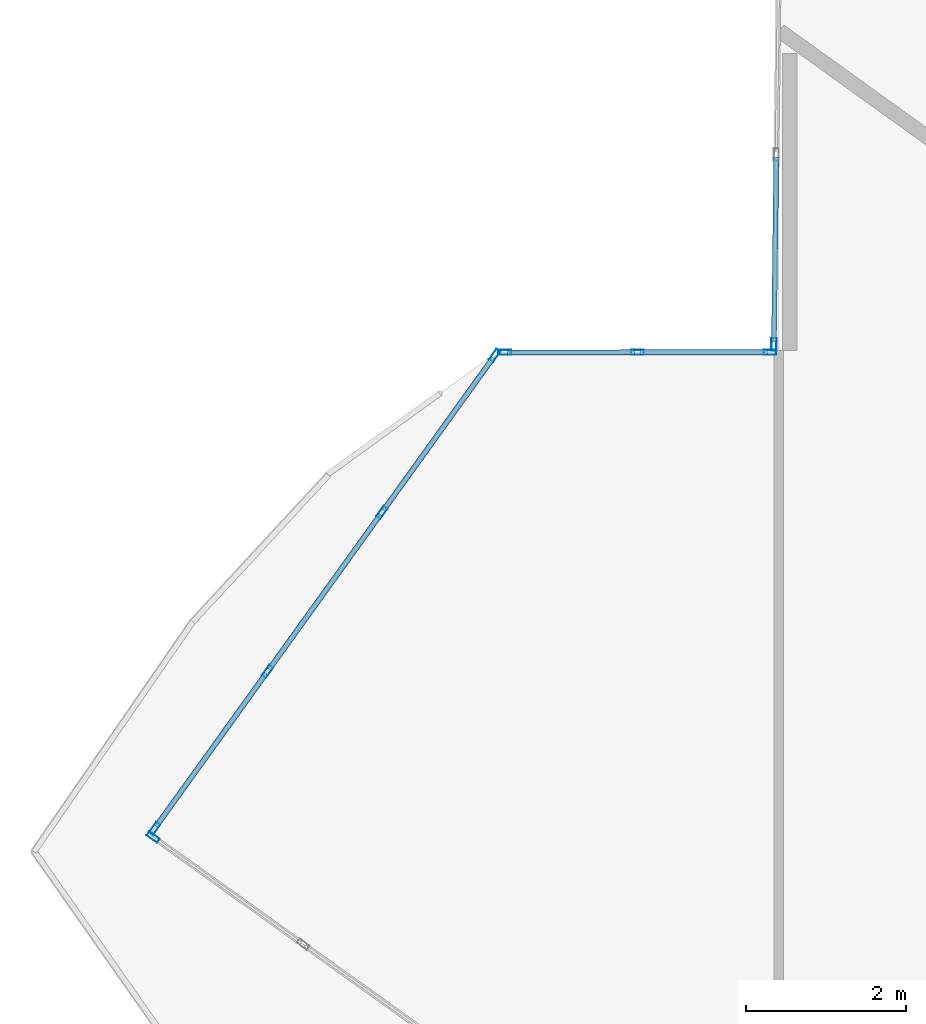
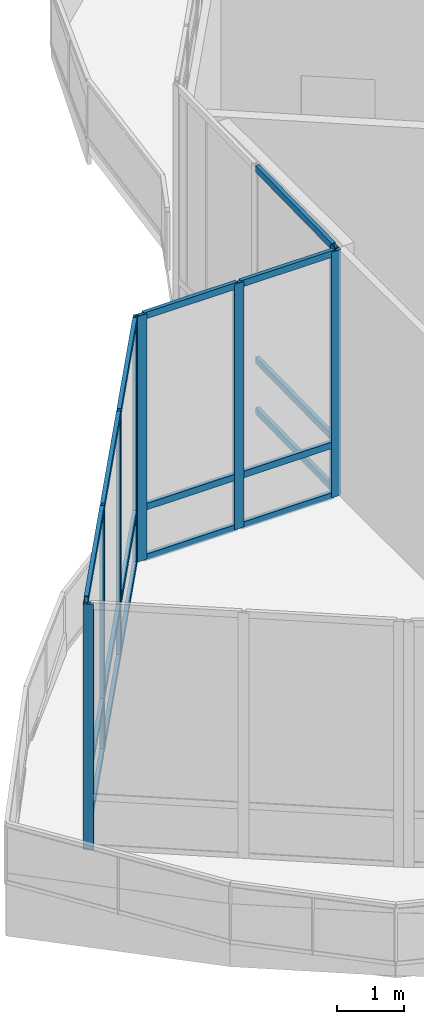
# One storey, part 17 of 168: 27 members, 4 elements without a shape of their own.
"""IFC4 building model written with IfcOpenShell, lengths in metres."""

from ifc_helpers import new_model, si_unit, direction, frame, origin, origin_2d, place, context, subcontext, project, spatial, hollow_rectangle, extrude, material, material_profile, profile_set, type_object, element, aggregate, save


model = new_model("IFC4")

# Units and contexts
model_context = context("Model", 3, precision=1e-05, world=origin(), true_north=direction((0.0, 1.0)))
body_context = subcontext(model_context, "Body", "Model", "MODEL_VIEW")
ifc_project = project(units=[si_unit("LENGTHUNIT", "METRE"), si_unit("AREAUNIT", "SQUARE_METRE"), si_unit("VOLUMEUNIT", "CUBIC_METRE"), si_unit("PLANEANGLEUNIT", "RADIAN"), si_unit("MASSUNIT", "GRAM", prefix="KILO")], contexts=[model_context])

# Site, building, storey
site_placement = place(None, origin())
site = spatial("IfcSite", under=ifc_project, at=site_placement, CompositionType="ELEMENT")
building_placement = place(site_placement, origin())
building = spatial("IfcBuilding", under=site, at=building_placement, Name="Selatvlak General Hospital", CompositionType="ELEMENT")
storey_placement = place(building_placement, frame((0.0, 0.0, 5.39990234375)))
storey = spatial("IfcBuildingStorey", under=building, at=storey_placement, Name="L01", CompositionType="ELEMENT", Elevation=5.39990234375)

# Curtain wall, member
ifc_material_1 = material(Name="Solar-control Low-E double glazing", Category="glass")
curtain_wall_type_1 = type_object("IfcCurtainWallType", Name="CW-CW-01", PredefinedType="USERDEFINED", material=ifc_material_1)
curtain_wall_1_placement = place(storey_placement, origin())
curtain_wall_1 = element("IfcCurtainWall", 1, at=curtain_wall_1_placement, inside=storey, type_object=curtain_wall_type_1, Name="Glazed facade curtain wall CW-L01-0183", ObjectType="UNITISED CURTAIN WALL", PredefinedType="USERDEFINED")
ifc_material_2 = material(Name="Dark anodised aluminium mullion", Category="aluminium")
ifc_material_profile_1 = material_profile(ifc_material_2, hollow_rectangle(XDim=0.06494140625, YDim=0.159912109375, WallThickness=0.00390625, at=origin_2d()), Name="AL-MUL 65x160x4")
ifc_profile_set_1 = profile_set([ifc_material_profile_1], Name="Dark anodised aluminium mullion")
member_type_1 = type_object("IfcMemberType", Name="CWM-01", PredefinedType="MULLION", material=ifc_profile_set_1)
member_1_placement = place(storey_placement, frame((14.95849609375, 25.923095703125, 0.0), z_axis=(0.0, 0.0, 1.0), x_axis=(-0.581802726189, -0.813329937847, 0.0)))
member_1 = element("IfcMember", 2, at=member_1_placement, type_object=member_type_1, Name="CW-01 mullion 3", PredefinedType="MULLION", context=body_context, shape_type="SweptSolid", body=[
    extrude(hollow_rectangle(XDim=0.06494140625, YDim=0.159912109375, WallThickness=0.00390625, at=origin_2d()), origin(), (0.0, 0.0, 1.0), 4.445068359375),
])
aggregate(curtain_wall_1, [member_1])

# Curtain wall, members
curtain_wall_type_2 = type_object("IfcCurtainWallType", Name="CW-CW-02", PredefinedType="USERDEFINED", material=ifc_material_1)
curtain_wall_2_placement = place(storey_placement, origin())
curtain_wall_2 = element("IfcCurtainWall", 3, at=curtain_wall_2_placement, inside=storey, type_object=curtain_wall_type_2, Name="Glazed facade curtain wall CW-L01-0184", ObjectType="UNITISED CURTAIN WALL", PredefinedType="USERDEFINED")
member_2_placement = place(storey_placement, frame((14.97705078125, 26.0302734375, 0.0), z_axis=(0.0, 0.0, 1.0), x_axis=(-0.811904820414, 0.583789827411, 0.0)))
member_2 = element("IfcMember", 4, at=member_2_placement, type_object=member_type_1, Name="CW-02 mullion 1", PredefinedType="MULLION", context=body_context, shape_type="SweptSolid", body=[
    extrude(hollow_rectangle(XDim=0.06494140625, YDim=0.159912109375, WallThickness=0.00390625, at=origin_2d()), origin(), (0.0, 0.0, 1.0), 4.445068359375),
])
member_3_placement = place(storey_placement, frame((16.39208984375, 27.998291015625, 0.0), z_axis=(0.0, 0.0, 1.0), x_axis=(-0.811904820414, 0.583789827411, 0.0)))
member_3 = element("IfcMember", 5, at=member_3_placement, type_object=member_type_1, Name="CW-02 mullion 2", PredefinedType="MULLION", context=body_context, shape_type="SweptSolid", body=[
    extrude(hollow_rectangle(XDim=0.06494140625, YDim=0.159912109375, WallThickness=0.00390625, at=origin_2d()), origin(), (0.0, 0.0, 1.0), 4.445068359375),
])
member_4_placement = place(storey_placement, frame((17.825927734375, 29.99267578125, 0.0), z_axis=(0.0, 0.0, 1.0), x_axis=(-0.811904820414, 0.583789827411, 0.0)))
member_4 = element("IfcMember", 6, at=member_4_placement, type_object=member_type_1, Name="CW-02 mullion 3", PredefinedType="MULLION", context=body_context, shape_type="SweptSolid", body=[
    extrude(hollow_rectangle(XDim=0.06494140625, YDim=0.159912109375, WallThickness=0.00390625, at=origin_2d()), origin(), (0.0, 0.0, 1.0), 4.445068359375),
])
member_5_placement = place(storey_placement, frame((19.240966796875, 31.960693359375, 0.0), z_axis=(0.0, 0.0, 1.0), x_axis=(-0.811904820414, 0.583789827411, 0.0)))
member_5 = element("IfcMember", 7, at=member_5_placement, type_object=member_type_1, Name="CW-02 mullion 4", PredefinedType="MULLION", context=body_context, shape_type="SweptSolid", body=[
    extrude(hollow_rectangle(XDim=0.06494140625, YDim=0.159912109375, WallThickness=0.00390625, at=origin_2d()), origin(), (0.0, 0.0, 1.0), 4.445068359375),
])

curtain_wall_3_placement = place(storey_placement, origin())
curtain_wall_3 = element("IfcCurtainWall", 8, at=curtain_wall_3_placement, inside=storey, type_object=curtain_wall_type_1, Name="Glazed facade curtain wall CW-L01-0185", ObjectType="UNITISED CURTAIN WALL", PredefinedType="USERDEFINED")
member_6_placement = place(storey_placement, frame((19.366455078125, 31.9990234375, 0.0), z_axis=(0.0, 0.0, 1.0), x_axis=(-0.000294898244, 0.999999956518, 0.0)))
member_6 = element("IfcMember", 9, at=member_6_placement, type_object=member_type_1, Name="CW-01 mullion 1", PredefinedType="MULLION", context=body_context, shape_type="SweptSolid", body=[
    extrude(hollow_rectangle(XDim=0.06494140625, YDim=0.159912109375, WallThickness=0.00390625, at=origin_2d()), origin(), (0.0, 0.0, 1.0), 4.445068359375),
])
member_7_placement = place(storey_placement, frame((21.029541015625, 31.99951171875, 0.0), z_axis=(0.0, 0.0, 1.0), x_axis=(-0.000294898244, 0.999999956518, 0.0)))
member_7 = element("IfcMember", 10, at=member_7_placement, type_object=member_type_1, Name="CW-01 mullion 2", PredefinedType="MULLION", context=body_context, shape_type="SweptSolid", body=[
    extrude(hollow_rectangle(XDim=0.06494140625, YDim=0.159912109375, WallThickness=0.00390625, at=origin_2d()), origin(), (0.0, 0.0, 1.0), 4.445068359375),
])
member_8_placement = place(storey_placement, frame((22.6923828125, 32.0, 0.0), z_axis=(0.0, 0.0, 1.0), x_axis=(-0.000294898244, 0.999999956518, 0.0)))
member_8 = element("IfcMember", 11, at=member_8_placement, type_object=member_type_1, Name="CW-01 mullion 3", PredefinedType="MULLION", context=body_context, shape_type="SweptSolid", body=[
    extrude(hollow_rectangle(XDim=0.06494140625, YDim=0.159912109375, WallThickness=0.00390625, at=origin_2d()), origin(), (0.0, 0.0, 1.0), 4.445068359375),
])

# Curtain wall, member
curtain_wall_4_placement = place(storey_placement, origin())
curtain_wall_4 = element("IfcCurtainWall", 12, at=curtain_wall_4_placement, inside=storey, type_object=curtain_wall_type_2, Name="Glazed facade curtain wall CW-L01-0186", ObjectType="UNITISED CURTAIN WALL", PredefinedType="USERDEFINED")
member_9_placement = place(storey_placement, frame((22.741455078125, 32.097412109375, 0.0), z_axis=(0.0, 0.0, 1.0), x_axis=(-0.999925308571, 0.012221999835, 0.0)))
member_9 = element("IfcMember", 13, at=member_9_placement, type_object=member_type_1, Name="CW-02 mullion 1", PredefinedType="MULLION", context=body_context, shape_type="SweptSolid", body=[
    extrude(hollow_rectangle(XDim=0.06494140625, YDim=0.159912109375, WallThickness=0.00390625, at=origin_2d()), origin(), (0.0, 0.0, 1.0), 4.445068359375),
])

# Member
ifc_material_profile_2 = material_profile(ifc_material_2, hollow_rectangle(XDim=0.06494140625, YDim=0.1201171875, WallThickness=0.00390625, at=origin_2d()), Name="AL-TRN 65x120x4")
ifc_profile_set_2 = profile_set([ifc_material_profile_2], Name="Dark anodised aluminium mullion")
member_type_2 = type_object("IfcMemberType", Name="CWT-01", PredefinedType="USERDEFINED", material=ifc_profile_set_2)
member_10_placement = place(storey_placement, frame((14.995849609375, 26.056884765625, 0.03271484375), z_axis=(0.583849294789, 0.811862057849, 0.0), x_axis=(-0.811862057849, 0.583849294789, 0.0)))
member_10 = element("IfcMember", 14, at=member_10_placement, type_object=member_type_2, Name="CW-02 transom 1.1", ObjectType="TRANSOM", PredefinedType="USERDEFINED", context=body_context, shape_type="SweptSolid", body=[
    extrude(hollow_rectangle(XDim=0.06494140625, YDim=0.1201171875, WallThickness=0.00390625, at=origin_2d()), origin(), (0.0, 0.0, 1.0), 2.35888671875),
])

member_11_placement = place(storey_placement, frame((14.995849609375, 26.056884765625, 0.9501953125), z_axis=(0.583849294789, 0.811862057849, 0.0), x_axis=(-0.811862057849, 0.583849294789, 0.0)))
member_11 = element("IfcMember", 15, at=member_11_placement, type_object=member_type_2, Name="CW-02 transom 1.2", ObjectType="TRANSOM", PredefinedType="USERDEFINED", context=body_context, shape_type="SweptSolid", body=[
    extrude(hollow_rectangle(XDim=0.06494140625, YDim=0.1201171875, WallThickness=0.00390625, at=origin_2d()), origin(), (0.0, 0.0, 1.0), 2.35888671875),
])

member_12_placement = place(storey_placement, frame((14.995849609375, 26.056884765625, 4.41259765625), z_axis=(0.583849294789, 0.811862057849, 0.0), x_axis=(-0.811862057849, 0.583849294789, 0.0)))
member_12 = element("IfcMember", 16, at=member_12_placement, type_object=member_type_2, Name="CW-02 transom 1.3", ObjectType="TRANSOM", PredefinedType="USERDEFINED", context=body_context, shape_type="SweptSolid", body=[
    extrude(hollow_rectangle(XDim=0.06494140625, YDim=0.1201171875, WallThickness=0.00390625, at=origin_2d()), origin(), (0.0, 0.0, 1.0), 2.35888671875),
])

member_13_placement = place(storey_placement, frame((16.410888671875, 28.024658203125, 0.03271484375), z_axis=(0.583823242974, 0.811880792336, 0.0), x_axis=(-0.811880792336, 0.583823242974, 0.0)))
member_13 = element("IfcMember", 17, at=member_13_placement, type_object=member_type_2, Name="CW-02 transom 2.1", ObjectType="TRANSOM", PredefinedType="USERDEFINED", context=body_context, shape_type="SweptSolid", body=[
    extrude(hollow_rectangle(XDim=0.06494140625, YDim=0.1201171875, WallThickness=0.00390625, at=origin_2d()), origin(), (0.0, 0.0, 1.0), 2.3916015625),
])

member_14_placement = place(storey_placement, frame((16.410888671875, 28.024658203125, 0.9501953125), z_axis=(0.583823242974, 0.811880792336, 0.0), x_axis=(-0.811880792336, 0.583823242974, 0.0)))
member_14 = element("IfcMember", 18, at=member_14_placement, type_object=member_type_2, Name="CW-02 transom 2.2", ObjectType="TRANSOM", PredefinedType="USERDEFINED", context=body_context, shape_type="SweptSolid", body=[
    extrude(hollow_rectangle(XDim=0.06494140625, YDim=0.1201171875, WallThickness=0.00390625, at=origin_2d()), origin(), (0.0, 0.0, 1.0), 2.3916015625),
])

member_15_placement = place(storey_placement, frame((16.410888671875, 28.024658203125, 4.41259765625), z_axis=(0.583823242974, 0.811880792336, 0.0), x_axis=(-0.811880792336, 0.583823242974, 0.0)))
member_15 = element("IfcMember", 19, at=member_15_placement, type_object=member_type_2, Name="CW-02 transom 2.3", ObjectType="TRANSOM", PredefinedType="USERDEFINED", context=body_context, shape_type="SweptSolid", body=[
    extrude(hollow_rectangle(XDim=0.06494140625, YDim=0.1201171875, WallThickness=0.00390625, at=origin_2d()), origin(), (0.0, 0.0, 1.0), 2.3916015625),
])

member_16_placement = place(storey_placement, frame((17.844970703125, 30.01904296875, 0.03271484375), z_axis=(0.583800237832, 0.811897334832, 0.0), x_axis=(-0.811897334832, 0.583800237832, 0.0)))
member_16 = element("IfcMember", 20, at=member_16_placement, type_object=member_type_2, Name="CW-02 transom 3.1", ObjectType="TRANSOM", PredefinedType="USERDEFINED", context=body_context, shape_type="SweptSolid", body=[
    extrude(hollow_rectangle(XDim=0.06494140625, YDim=0.1201171875, WallThickness=0.00390625, at=origin_2d()), origin(), (0.0, 0.0, 1.0), 2.359130859375),
])

member_17_placement = place(storey_placement, frame((17.844970703125, 30.01904296875, 0.9501953125), z_axis=(0.583800237832, 0.811897334832, 0.0), x_axis=(-0.811897334832, 0.583800237832, 0.0)))
member_17 = element("IfcMember", 21, at=member_17_placement, type_object=member_type_2, Name="CW-02 transom 3.2", ObjectType="TRANSOM", PredefinedType="USERDEFINED", context=body_context, shape_type="SweptSolid", body=[
    extrude(hollow_rectangle(XDim=0.06494140625, YDim=0.1201171875, WallThickness=0.00390625, at=origin_2d()), origin(), (0.0, 0.0, 1.0), 2.359130859375),
])

member_18_placement = place(storey_placement, frame((17.844970703125, 30.01904296875, 4.41259765625), z_axis=(0.583800237832, 0.811897334832, 0.0), x_axis=(-0.811897334832, 0.583800237832, 0.0)))
member_18 = element("IfcMember", 22, at=member_18_placement, type_object=member_type_2, Name="CW-02 transom 3.3", ObjectType="TRANSOM", PredefinedType="USERDEFINED", context=body_context, shape_type="SweptSolid", body=[
    extrude(hollow_rectangle(XDim=0.06494140625, YDim=0.1201171875, WallThickness=0.00390625, at=origin_2d()), origin(), (0.0, 0.0, 1.0), 2.359130859375),
])

aggregate(curtain_wall_2, [member_2, member_3, member_4, member_5, member_10, member_11, member_12, member_13, member_14, member_15, member_16, member_17, member_18])

member_19_placement = place(storey_placement, frame((19.39892578125, 31.9990234375, 0.03271484375), z_axis=(0.999999953326, 0.00030553008, 0.0), x_axis=(-0.00030553008, 0.999999953326, 0.0)))
member_19 = element("IfcMember", 23, at=member_19_placement, type_object=member_type_2, Name="CW-01 transom 1.1", ObjectType="TRANSOM", PredefinedType="USERDEFINED", context=body_context, shape_type="SweptSolid", body=[
    extrude(hollow_rectangle(XDim=0.06494140625, YDim=0.1201171875, WallThickness=0.00390625, at=origin_2d()), origin(), (0.0, 0.0, 1.0), 1.59814453125),
])

member_20_placement = place(storey_placement, frame((19.39892578125, 31.9990234375, 0.9501953125), z_axis=(0.999999953326, 0.00030553008, 0.0), x_axis=(-0.00030553008, 0.999999953326, 0.0)))
member_20 = element("IfcMember", 24, at=member_20_placement, type_object=member_type_2, Name="CW-01 transom 1.2", ObjectType="TRANSOM", PredefinedType="USERDEFINED", context=body_context, shape_type="SweptSolid", body=[
    extrude(hollow_rectangle(XDim=0.06494140625, YDim=0.1201171875, WallThickness=0.00390625, at=origin_2d()), origin(), (0.0, 0.0, 1.0), 1.59814453125),
])

member_21_placement = place(storey_placement, frame((19.39892578125, 31.9990234375, 4.41259765625), z_axis=(0.999999953326, 0.00030553008, 0.0), x_axis=(-0.00030553008, 0.999999953326, 0.0)))
member_21 = element("IfcMember", 25, at=member_21_placement, type_object=member_type_2, Name="CW-01 transom 1.3", ObjectType="TRANSOM", PredefinedType="USERDEFINED", context=body_context, shape_type="SweptSolid", body=[
    extrude(hollow_rectangle(XDim=0.06494140625, YDim=0.1201171875, WallThickness=0.00390625, at=origin_2d()), origin(), (0.0, 0.0, 1.0), 1.59814453125),
])

member_22_placement = place(storey_placement, frame((21.06201171875, 31.99951171875, 0.03271484375), z_axis=(0.999999953311, 0.000305576762, 0.0), x_axis=(-0.000305576762, 0.999999953311, 0.0)))
member_22 = element("IfcMember", 26, at=member_22_placement, type_object=member_type_2, Name="CW-01 transom 2.1", ObjectType="TRANSOM", PredefinedType="USERDEFINED", context=body_context, shape_type="SweptSolid", body=[
    extrude(hollow_rectangle(XDim=0.06494140625, YDim=0.1201171875, WallThickness=0.00390625, at=origin_2d()), origin(), (0.0, 0.0, 1.0), 1.597900390625),
])

member_23_placement = place(storey_placement, frame((21.06201171875, 31.99951171875, 0.9501953125), z_axis=(0.999999953311, 0.000305576762, 0.0), x_axis=(-0.000305576762, 0.999999953311, 0.0)))
member_23 = element("IfcMember", 27, at=member_23_placement, type_object=member_type_2, Name="CW-01 transom 2.2", ObjectType="TRANSOM", PredefinedType="USERDEFINED", context=body_context, shape_type="SweptSolid", body=[
    extrude(hollow_rectangle(XDim=0.06494140625, YDim=0.1201171875, WallThickness=0.00390625, at=origin_2d()), origin(), (0.0, 0.0, 1.0), 1.597900390625),
])

member_24_placement = place(storey_placement, frame((21.06201171875, 31.99951171875, 4.41259765625), z_axis=(0.999999953311, 0.000305576762, 0.0), x_axis=(-0.000305576762, 0.999999953311, 0.0)))
member_24 = element("IfcMember", 28, at=member_24_placement, type_object=member_type_2, Name="CW-01 transom 2.3", ObjectType="TRANSOM", PredefinedType="USERDEFINED", context=body_context, shape_type="SweptSolid", body=[
    extrude(hollow_rectangle(XDim=0.06494140625, YDim=0.1201171875, WallThickness=0.00390625, at=origin_2d()), origin(), (0.0, 0.0, 1.0), 1.597900390625),
])

aggregate(curtain_wall_3, [member_6, member_7, member_8, member_19, member_20, member_21, member_22, member_23, member_24])

member_25_placement = place(storey_placement, frame((22.74169921875, 32.1298828125, 0.03271484375), z_axis=(0.012226344433, 0.999925255458, 0.0), x_axis=(-0.999925255458, 0.012226344433, 0.0)))
member_25 = element("IfcMember", 29, at=member_25_placement, type_object=member_type_2, Name="CW-02 transom 1.1", ObjectType="TRANSOM", PredefinedType="USERDEFINED", context=body_context, shape_type="SweptSolid", body=[
    extrude(hollow_rectangle(XDim=0.06494140625, YDim=0.1201171875, WallThickness=0.00390625, at=origin_2d()), origin(), (0.0, 0.0, 1.0), 2.31640625),
])

member_26_placement = place(storey_placement, frame((22.74169921875, 32.1298828125, 0.9501953125), z_axis=(0.012226344433, 0.999925255458, 0.0), x_axis=(-0.999925255458, 0.012226344433, 0.0)))
member_26 = element("IfcMember", 30, at=member_26_placement, type_object=member_type_2, Name="CW-02 transom 1.2", ObjectType="TRANSOM", PredefinedType="USERDEFINED", context=body_context, shape_type="SweptSolid", body=[
    extrude(hollow_rectangle(XDim=0.06494140625, YDim=0.1201171875, WallThickness=0.00390625, at=origin_2d()), origin(), (0.0, 0.0, 1.0), 2.31640625),
])

member_27_placement = place(storey_placement, frame((22.74169921875, 32.1298828125, 4.41259765625), z_axis=(0.012226344433, 0.999925255458, 0.0), x_axis=(-0.999925255458, 0.012226344433, 0.0)))
member_27 = element("IfcMember", 31, at=member_27_placement, type_object=member_type_2, Name="CW-02 transom 1.3", ObjectType="TRANSOM", PredefinedType="USERDEFINED", context=body_context, shape_type="SweptSolid", body=[
    extrude(hollow_rectangle(XDim=0.06494140625, YDim=0.1201171875, WallThickness=0.00390625, at=origin_2d()), origin(), (0.0, 0.0, 1.0), 2.31640625),
])

aggregate(curtain_wall_4, [member_9, member_25, member_26, member_27])

save(model, "model.ifc")
